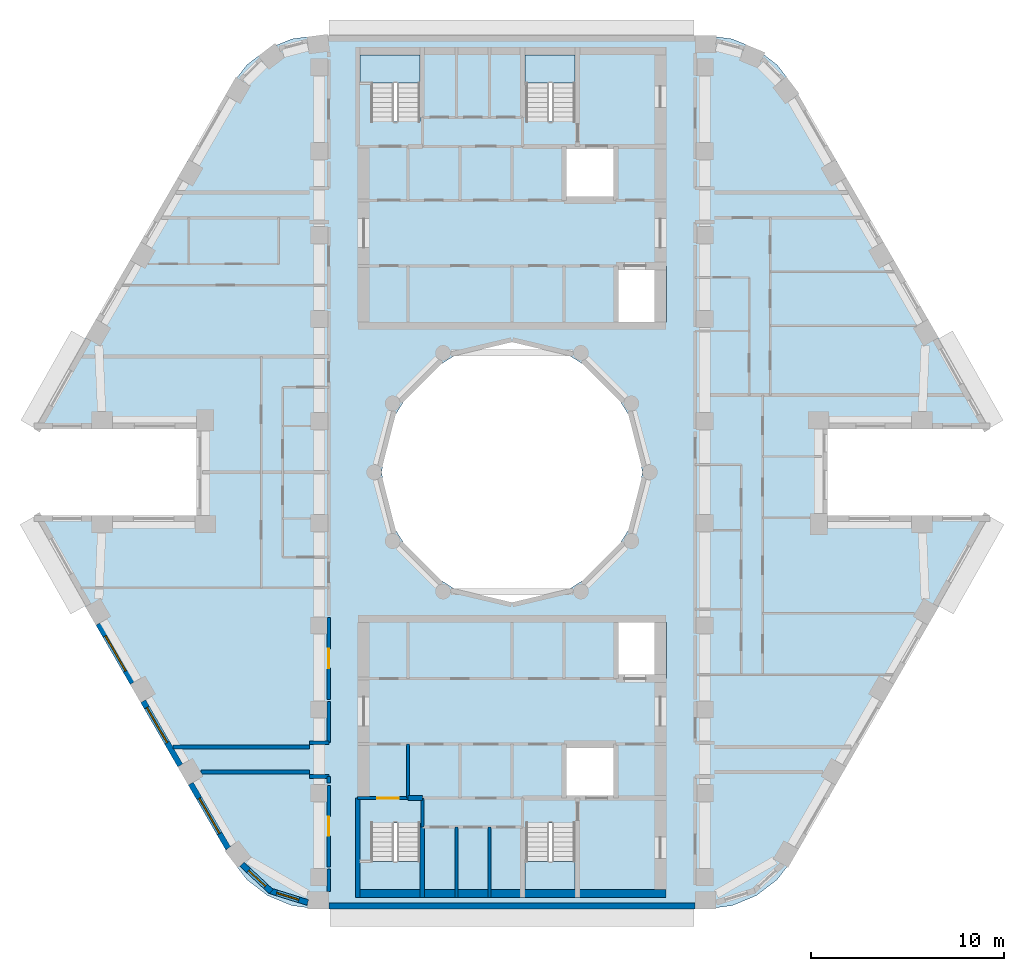
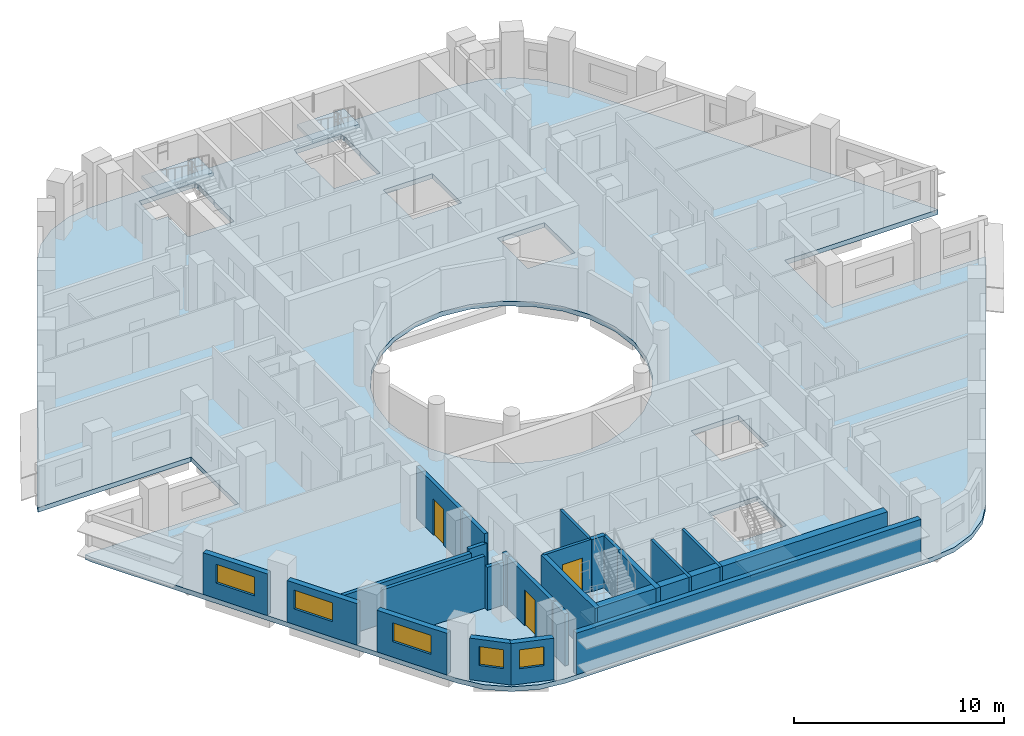
# One storey, part 2 of 12: 24 walls, 5 slabs, 5 windows, 3 doors, 8 openings, 4 elements without a shape of their own.
"""IFC4 building model written with IfcOpenShell, lengths in metres."""

from ifc_helpers import new_model, si_unit, direction, frame, frame_2d, origin, place, context, subcontext, project, spatial, polyline, rectangle, outline, extrude, material, layer, layer_set, type_object, element, fill, aggregate, save


model = new_model("IFC4")

# Units and contexts
model_context = context("Model", 3, precision=1e-05, world=origin(), true_north=direction((0.0, 1.0)))
body_context = subcontext(model_context, "Body", "Model", "MODEL_VIEW")
ifc_project = project(units=[si_unit("LENGTHUNIT", "METRE"), si_unit("AREAUNIT", "SQUARE_METRE"), si_unit("VOLUMEUNIT", "CUBIC_METRE"), si_unit("PLANEANGLEUNIT", "RADIAN"), si_unit("MASSUNIT", "GRAM", prefix="KILO")], contexts=[model_context])

# Site, building, storey
site_placement = place(None, origin())
site = spatial("IfcSite", under=ifc_project, at=site_placement, CompositionType="ELEMENT")
building_placement = place(site_placement, origin())
building = spatial("IfcBuilding", under=site, at=building_placement, Name="Nakaniwa Court", CompositionType="ELEMENT")
storey_placement = place(building_placement, frame((0.0, 0.0, 255.89990234375)))
storey = spatial("IfcBuildingStorey", under=building, at=storey_placement, Name="L67", CompositionType="ELEMENT", Elevation=255.89990234375)

# Slab
ifc_material_1 = material(Name="Concrete C80/100", Category="concrete")
ifc_layer_1 = layer(ifc_material_1, 0.27490234375)
ifc_layer_set_1 = layer_set([ifc_layer_1], Name="Concrete C80/100")
slab_type_1 = type_object("IfcSlabType", Name="Concrete C80/100 post tensioned floor slab 275", PredefinedType="FLOOR", material=ifc_layer_set_1)
slab_1_placement = place(storey_placement, frame((0.0, 0.0, -0.27490234375)))
element("IfcSlab", 1, at=slab_1_placement, inside=storey, type_object=slab_type_1, Name="FLOOR SLAB", PredefinedType="FLOOR", context=body_context, shape_type="SweptSolid", body=[
    extrude(outline(polyline([(96.349609375, 82.25), (104.7978515625, 82.25), (104.65283203125, 82.60009765625), (94.578125, 100.050048828125), (93.751708984375, 101.126953125), (92.6748046875, 101.953369140625), (91.420654296875, 102.472900390625), (90.07470703125, 102.64990234375), (69.92529296875, 102.64990234375), (68.579345703125, 102.472900390625), (67.3251953125, 101.953369140625), (66.248291015625, 101.126953125), (65.421875, 100.050048828125), (55.34716796875, 82.60009765625), (55.2021484375, 82.25), (63.650390625, 82.25), (63.650390625, 77.75), (55.2021484375, 77.75), (55.34716796875, 77.39990234375), (65.421875, 59.949951171875), (66.248291015625, 58.873046875), (67.3251953125, 58.046630859375), (68.579345703125, 57.527099609375), (69.92529296875, 57.35009765625), (90.07470703125, 57.35009765625), (91.420654296875, 57.527099609375), (92.6748046875, 58.046630859375), (93.751708984375, 58.873046875), (94.578125, 59.949951171875), (104.65283203125, 77.39990234375), (104.7978515625, 77.75), (96.349609375, 77.75), (96.349609375, 82.25)]), holes=[polyline([(81.501953125, 86.580810546875), (80.0, 86.75), (78.498046875, 86.580810546875), (77.0712890625, 86.08154296875), (75.79150390625, 85.27734375), (74.72265625, 84.20849609375), (73.91845703125, 82.9287109375), (73.419189453125, 81.501953125), (73.25, 80.0), (73.419189453125, 78.498046875), (73.91845703125, 77.0712890625), (74.72265625, 75.79150390625), (75.79150390625, 74.72265625), (77.0712890625, 73.91845703125), (78.498046875, 73.419189453125), (80.0, 73.25), (81.501953125, 73.419189453125), (82.9287109375, 73.91845703125), (84.20849609375, 74.72265625), (85.27734375, 75.79150390625), (86.08154296875, 77.0712890625), (86.580810546875, 78.498046875), (86.75, 80.0), (86.580810546875, 81.501953125), (86.08154296875, 82.9287109375), (85.27734375, 84.20849609375), (84.20849609375, 85.27734375), (82.9287109375, 86.08154296875), (81.501953125, 86.580810546875)]), polyline([(72.675048828125, 61.81005859375), (72.675048828125, 59.864990234375), (72.0849609375, 59.864990234375), (72.0849609375, 58.31005859375), (72.125, 58.31005859375), (72.125, 58.074951171875), (75.22509765625, 58.074951171875), (75.22509765625, 58.31005859375), (75.264892578125, 58.31005859375), (75.264892578125, 59.864990234375), (75.22509765625, 59.864990234375), (75.22509765625, 61.81005859375), (72.675048828125, 61.81005859375)]), polyline([(83.27490234375, 61.81005859375), (80.72509765625, 61.81005859375), (80.72509765625, 59.864990234375), (80.635009765625, 59.864990234375), (80.635009765625, 58.31005859375), (80.675048828125, 58.31005859375), (80.675048828125, 58.074951171875), (83.27490234375, 58.074951171875), (83.27490234375, 58.31005859375), (83.31494140625, 58.31005859375), (83.31494140625, 59.864990234375), (83.27490234375, 59.864990234375), (83.27490234375, 61.81005859375)]), polyline([(75.264892578125, 101.68994140625), (75.22509765625, 101.68994140625), (75.22509765625, 101.925048828125), (72.125, 101.925048828125), (72.125, 101.68994140625), (72.0849609375, 101.68994140625), (72.0849609375, 100.135009765625), (72.675048828125, 100.135009765625), (72.675048828125, 98.18994140625), (75.22509765625, 98.18994140625), (75.22509765625, 100.135009765625), (75.264892578125, 100.135009765625), (75.264892578125, 101.68994140625)]), polyline([(83.31494140625, 100.135009765625), (83.31494140625, 101.68994140625), (83.27490234375, 101.68994140625), (83.27490234375, 101.925048828125), (80.675048828125, 101.925048828125), (80.675048828125, 101.68994140625), (80.635009765625, 101.68994140625), (80.635009765625, 100.135009765625), (80.72509765625, 100.135009765625), (80.72509765625, 98.18994140625), (83.27490234375, 98.18994140625), (83.27490234375, 100.135009765625), (83.31494140625, 100.135009765625)]), polyline([(85.39990234375, 65.89990234375), (82.699951171875, 65.89990234375), (82.699951171875, 63.10009765625), (85.39990234375, 63.10009765625), (85.39990234375, 65.89990234375)]), polyline([(88.0, 72.199951171875), (85.39990234375, 72.199951171875), (85.39990234375, 69.300048828125), (88.0, 69.300048828125), (88.0, 72.199951171875)]), polyline([(85.39990234375, 90.699951171875), (85.39990234375, 87.800048828125), (88.0, 87.800048828125), (88.0, 90.699951171875), (85.39990234375, 90.699951171875)]), polyline([(85.39990234375, 96.89990234375), (82.699951171875, 96.89990234375), (82.699951171875, 94.10009765625), (85.39990234375, 94.10009765625), (85.39990234375, 96.89990234375)])]), origin(), (0.0, 0.0, 1.0), 0.27490234375),
])

# Stair, slab
stair_type = type_object("IfcStairType", Name="Dog leg stair 1200 wide 18 risers", PredefinedType="HALF_TURN_STAIR", material=ifc_material_1)
stair_1_placement = place(storey_placement, origin())
stair_1 = element("IfcStair", 2, at=stair_1_placement, inside=storey, type_object=stair_type, Name="L67 Stair ST1", PredefinedType="HALF_TURN_STAIR")
ifc_layer_2 = layer(ifc_material_1, 0.199951171875)
ifc_layer_set_2 = layer_set([ifc_layer_2], Name="Concrete C80/100")
slab_type_2 = type_object("IfcSlabType", Name="Stair landing concrete", PredefinedType="LANDING", material=ifc_layer_set_2)
slab_2_placement = place(storey_placement, frame((0.0, 0.0, 1.4501953125)))
slab_2 = element("IfcSlab", 3, at=slab_2_placement, type_object=slab_type_2, Name="ST1 landing 1", PredefinedType="LANDING", context=body_context, shape_type="SweptSolid", body=[
    extrude(outline(polyline([(75.22509765625, 100.175048828125), (75.22509765625, 101.64990234375), (72.125, 101.64990234375), (72.125, 100.175048828125), (75.22509765625, 100.175048828125)])), origin(), (0.0, 0.0, 1.0), 0.199951171875),
])
aggregate(stair_1, [slab_2])

stair_2_placement = place(storey_placement, origin())
stair_2 = element("IfcStair", 4, at=stair_2_placement, inside=storey, type_object=stair_type, Name="L67 Stair ST2", PredefinedType="HALF_TURN_STAIR")
slab_3_placement = place(storey_placement, frame((0.0, 0.0, 1.4501953125)))
slab_3 = element("IfcSlab", 5, at=slab_3_placement, type_object=slab_type_2, Name="ST2 landing 1", PredefinedType="LANDING", context=body_context, shape_type="SweptSolid", body=[
    extrude(outline(polyline([(83.27490234375, 100.175048828125), (83.27490234375, 101.64990234375), (80.675048828125, 101.64990234375), (80.675048828125, 100.175048828125), (83.27490234375, 100.175048828125)])), origin(), (0.0, 0.0, 1.0), 0.199951171875),
])
aggregate(stair_2, [slab_3])

stair_3_placement = place(storey_placement, origin())
stair_3 = element("IfcStair", 6, at=stair_3_placement, inside=storey, type_object=stair_type, Name="L67 Stair ST3", PredefinedType="HALF_TURN_STAIR")
slab_4_placement = place(storey_placement, frame((0.0, 0.0, 1.4501953125)))
slab_4 = element("IfcSlab", 7, at=slab_4_placement, type_object=slab_type_2, Name="ST3 landing 1", PredefinedType="LANDING", context=body_context, shape_type="SweptSolid", body=[
    extrude(outline(polyline([(75.22509765625, 58.35009765625), (75.22509765625, 59.824951171875), (72.125, 59.824951171875), (72.125, 58.35009765625), (75.22509765625, 58.35009765625)])), origin(), (0.0, 0.0, 1.0), 0.199951171875),
])
aggregate(stair_3, [slab_4])

stair_4_placement = place(storey_placement, origin())
stair_4 = element("IfcStair", 8, at=stair_4_placement, inside=storey, type_object=stair_type, Name="L67 Stair ST4", PredefinedType="HALF_TURN_STAIR")
slab_5_placement = place(storey_placement, frame((0.0, 0.0, 1.4501953125)))
slab_5 = element("IfcSlab", 9, at=slab_5_placement, type_object=slab_type_2, Name="ST4 landing 1", PredefinedType="LANDING", context=body_context, shape_type="SweptSolid", body=[
    extrude(outline(polyline([(83.27490234375, 58.35009765625), (83.27490234375, 59.824951171875), (80.675048828125, 59.824951171875), (80.675048828125, 58.35009765625), (83.27490234375, 58.35009765625)])), origin(), (0.0, 0.0, 1.0), 0.199951171875),
])
aggregate(stair_4, [slab_5])

# Walls
ifc_material_2 = material(Name="Acoustic double stud partition")
ifc_layer_3 = layer(ifc_material_2, 0.199951171875)
ifc_layer_set_3 = layer_set([ifc_layer_3], Name="Acoustic double stud partition")
wall_type_1 = type_object("IfcWallType", Name="Acoustic double stud partition 200", PredefinedType="PARTITIONING", material=ifc_layer_set_3)
wall_1_placement = place(storey_placement, frame((63.88330078125, 64.449951171875, 0.0), z_axis=(0.0, 0.0, 1.0), x_axis=(1.0, 0.0, 0.0)))
element("IfcWall", 10, at=wall_1_placement, inside=storey, type_object=wall_type_1, Name="Partition PW-078", PredefinedType="PARTITIONING", context=body_context, shape_type="SweptSolid", body=[
    extrude(rectangle(XDim=5.61669921875, YDim=0.199951171875, at=frame_2d((2.808349609375, 0.0))), origin(), (0.0, 0.0, 1.0), 3.025146484375),
])
for number, where, z_axis, x_axis, name in (
    (11, (69.5, 64.22509765625, 0.0), (0.0, 0.0, 1.0), (1.0, 0.0, 0.0), "Partition PW-080"),
    (12, (69.5, 65.97509765625, 0.0), (0.0, 0.0, 1.0), (1.0, 0.0, 0.0), "Partition PW-082"),
):
    element("IfcWall", number, at=place(storey_placement, frame(where, z_axis=z_axis, x_axis=x_axis)), inside=storey, type_object=wall_type_1, Name=name, PredefinedType="PARTITIONING", context=body_context, shape_type="SweptSolid", body=[
        extrude(rectangle(XDim=1.0, YDim=0.199951171875, at=frame_2d((0.5, 0.0))), origin(), (0.0, 0.0, 1.0), 2.505126953125),
    ])
wall_2_placement = place(storey_placement, frame((62.419677734375, 65.75, 0.0), z_axis=(0.0, 0.0, 1.0), x_axis=(1.0, 0.0, 0.0)))
element("IfcWall", 13, at=wall_2_placement, inside=storey, type_object=wall_type_1, Name="Partition PW-084", PredefinedType="PARTITIONING", context=body_context, shape_type="SweptSolid", body=[
    extrude(rectangle(XDim=7.080322265625, YDim=0.199951171875, at=frame_2d((3.5400390625, 0.0))), origin(), (0.0, 0.0, 1.0), 2.405029296875),
])
wall_3_placement = place(storey_placement, frame((70.5, 58.26708984375, 0.0), z_axis=(0.0, 0.0, 1.0), x_axis=(0.0, 1.0, 0.0)))
element("IfcWall", 14, at=wall_3_placement, inside=storey, type_object=wall_type_1, Name="Partition PW-086", PredefinedType="PARTITIONING", context=body_context, shape_type="SweptSolid", body=[
    extrude(rectangle(XDim=1.14599609375, YDim=0.199951171875, at=frame_2d((0.572998046875, 0.0))), origin(), (0.0, 0.0, 1.0), 3.025146484375),
])

# Wall, opening, door
wall_4_placement = place(storey_placement, frame((70.5, 59.527099609375, 0.0), z_axis=(0.0, 0.0, 1.0), x_axis=(0.0, 1.0, 0.0)))
wall_4 = element("IfcWall", 15, at=wall_4_placement, inside=storey, type_object=wall_type_1, Name="Partition PW-087", PredefinedType="PARTITIONING", context=body_context, shape_type="SweptSolid", body=[
    extrude(rectangle(XDim=4.23583984375, YDim=0.199951171875, at=frame_2d((2.117919921875, 0.0))), origin(), (0.0, 0.0, 1.0), 3.025146484375),
])
opening_1_placement = place(wall_4_placement, frame((1.617919921875, 0.0, 0.0)))
opening_1 = element("IfcOpeningElement", 16, at=opening_1_placement, cuts=wall_4, Name="Opening D-02-05", PredefinedType="OPENING", context=body_context, shape_type="SweptSolid", body=[
    extrude(rectangle(XDim=1.0, YDim=2.10009765625, at=frame_2d((0.5, 1.050048828125))), frame((0.0, 0.10986328125, 0.0), z_axis=(0.0, -1.0, 0.0), x_axis=(1.0, 0.0, 0.0)), (0.0, 0.0, 1.0), 0.219970703125),
])
ifc_material_3 = material(Name="Solid core timber door set, black veneer", Category="wood")
door_type_1 = type_object("IfcDoorType", Name="Internal door 1000", OperationType="NOTDEFINED", PredefinedType="DOOR", material=ifc_material_3)
door_1_placement = place(opening_1_placement, origin())
door_1 = element("IfcDoor", 17, at=door_1_placement, inside=storey, type_object=door_type_1, Name="Door D-02-05 L67-061", OperationType="SINGLE_SWING_RIGHT", OverallHeight=2.10009765625, OverallWidth=1.0, PredefinedType="DOOR", context=body_context, shape_type="SweptSolid", body=[
    extrude(rectangle(XDim=1.0, YDim=2.10009765625, at=frame_2d((0.5, 1.050048828125))), frame((0.0, 0.02490234375, 0.0), z_axis=(0.0, -1.0, 0.0), x_axis=(1.0, 0.0, 0.0)), (0.0, 0.0, 1.0), 0.050048828125),
])
fill(opening_1, door_1)

# Walls
wall_5_placement = place(storey_placement, frame((70.5, 63.876953125, 0.0), z_axis=(0.0, 0.0, 1.0), x_axis=(0.0, 1.0, 0.0)))
element("IfcWall", 18, at=wall_5_placement, inside=storey, type_object=wall_type_1, Name="Partition PW-088", PredefinedType="PARTITIONING", context=body_context, shape_type="SweptSolid", body=[
    extrude(rectangle(XDim=0.35107421875, YDim=0.199951171875, at=frame_2d((0.175537109375, 0.0))), origin(), (0.0, 0.0, 1.0), 3.025146484375),
])
wall_6_placement = place(storey_placement, frame((70.5, 65.971923828125, 0.0), z_axis=(0.0, 0.0, 1.0), x_axis=(0.0, 1.0, 0.0)))
element("IfcWall", 19, at=wall_6_placement, inside=storey, type_object=wall_type_1, Name="Partition PW-089", PredefinedType="PARTITIONING", context=body_context, shape_type="SweptSolid", body=[
    extrude(rectangle(XDim=2.14111328125, YDim=0.199951171875, at=frame_2d((1.070556640625, 0.0))), origin(), (0.0, 0.0, 1.0), 3.025146484375),
])

# Wall, opening, door
wall_7_placement = place(storey_placement, frame((70.5, 68.22705078125, 0.0), z_axis=(0.0, 0.0, 1.0), x_axis=(0.0, 1.0, 0.0)))
wall_7 = element("IfcWall", 20, at=wall_7_placement, inside=storey, type_object=wall_type_1, Name="Partition PW-090", PredefinedType="PARTITIONING", context=body_context, shape_type="SweptSolid", body=[
    extrude(rectangle(XDim=4.23583984375, YDim=0.199951171875, at=frame_2d((2.117919921875, 0.0))), origin(), (0.0, 0.0, 1.0), 3.025146484375),
])
opening_2_placement = place(wall_7_placement, frame((1.617919921875, 0.0, 0.0)))
opening_2 = element("IfcOpeningElement", 21, at=opening_2_placement, cuts=wall_7, Name="Opening D-02-02", PredefinedType="OPENING", context=body_context, shape_type="SweptSolid", body=[
    extrude(rectangle(XDim=1.0, YDim=2.10009765625, at=frame_2d((0.5, 1.050048828125))), frame((0.0, 0.10986328125, 0.0), z_axis=(0.0, -1.0, 0.0), x_axis=(1.0, 0.0, 0.0)), (0.0, 0.0, 1.0), 0.219970703125),
])
door_2_placement = place(opening_2_placement, origin())
door_2 = element("IfcDoor", 22, at=door_2_placement, inside=storey, type_object=door_type_1, Name="Door D-02-02 L67-046", OperationType="SINGLE_SWING_LEFT", OverallHeight=2.10009765625, OverallWidth=1.0, PredefinedType="DOOR", context=body_context, shape_type="SweptSolid", body=[
    extrude(rectangle(XDim=1.0, YDim=2.10009765625, at=frame_2d((0.5, 1.050048828125))), frame((0.0, 0.02490234375, 0.0), z_axis=(0.0, -1.0, 0.0), x_axis=(1.0, 0.0, 0.0)), (0.0, 0.0, 1.0), 0.050048828125),
])
fill(opening_2, door_2)

# Wall, opening, window
ifc_material_4 = material(Name="Charcoal ceramic cladding")
ifc_layer_4 = layer(ifc_material_4, 0.02, Name="Ceramic cladding")
ifc_material_5 = material(Name="Ventilated air cavity")
ifc_layer_5 = layer(ifc_material_5, 0.04, ventilated=True, Name="Ventilated cavity")
ifc_material_6 = material(Name="Mineral wool insulation")
ifc_layer_6 = layer(ifc_material_6, 0.1, Name="Insulation")
ifc_material_7 = material(Name="Cement bonded sheathing board")
ifc_layer_7 = layer(ifc_material_7, 0.012, Name="Sheathing")
ifc_material_8 = material(Name="Cold-formed galvanised stud frame with mineral wool infill")
ifc_layer_8 = layer(ifc_material_8, 0.1, Name="Stud frame")
ifc_material_9 = material(Name="Fire-rated gypsum plasterboard lining")
ifc_layer_9 = layer(ifc_material_9, 0.028, Name="Lining")
ifc_layer_set_4 = layer_set([ifc_layer_4, ifc_layer_5, ifc_layer_6, ifc_layer_7, ifc_layer_8, ifc_layer_9], Name="Charcoal ceramic faced external wall system")
wall_type_2 = type_object("IfcWallType", Name="Black ceramic faced external wall 300", PredefinedType="SOLIDWALL", material=ifc_layer_set_4)
wall_8_placement = place(storey_placement, frame((58.55419921875, 72.14501953125, 0.0), z_axis=(0.0, 0.0, 1.0), x_axis=(0.500010404316, -0.866019396766, 0.0)))
wall_8 = element("IfcWall", 23, at=wall_8_placement, inside=storey, type_object=wall_type_2, Name="L67 external wall 21", PredefinedType="SOLIDWALL", context=body_context, shape_type="SweptSolid", body=[
    extrude(rectangle(XDim=3.54736328125, YDim=0.300048828125, at=frame_2d((1.773681640625, 0.0))), origin(), (0.0, 0.0, 1.0), 2.425048828125),
])
opening_3_placement = place(wall_8_placement, frame((0.723388671875, 0.0, 0.89990234375)))
opening_3 = element("IfcOpeningElement", 24, at=opening_3_placement, cuts=wall_8, Name="Opening W7.23", PredefinedType="OPENING", context=body_context, shape_type="SweptSolid", body=[
    extrude(rectangle(XDim=2.10009765625, YDim=1.10009765625, at=frame_2d((1.050048828125, 0.550048828125))), frame((0.0, 0.159912109375, 0.0), z_axis=(0.0, -1.0, 0.0), x_axis=(1.0, 0.0, 0.0)), (0.0, 0.0, 1.0), 0.320068359375),
])
ifc_material_10 = material(Name="Black anodised aluminium frame with dark low-E laminated double glazing", Category="aluminium")
window_type_1 = type_object("IfcWindowType", Name="Dark glass window 2100x1100 sill 900", PartitioningType="SINGLE_PANEL", PredefinedType="WINDOW", material=ifc_material_10)
window_1_placement = place(opening_3_placement, origin())
window_1 = element("IfcWindow", 25, at=window_1_placement, inside=storey, type_object=window_type_1, Name="L67 habitable room window 21-0", OverallHeight=1.10009765625, OverallWidth=2.10009765625, PartitioningType="SINGLE_PANEL", PredefinedType="WINDOW", context=body_context, shape_type="SweptSolid", body=[
    extrude(rectangle(XDim=2.10009765625, YDim=1.10009765625, at=frame_2d((1.050048828125, 0.550048828125))), frame((0.0, 0.030029296875, 0.0), z_axis=(0.0, -1.0, 0.0), x_axis=(1.0, 0.0, 0.0)), (0.0, 0.0, 1.0), 0.06005859375),
])
fill(opening_3, window_1)

wall_9_placement = place(storey_placement, frame((60.873779296875, 68.12744140625, 0.0), z_axis=(0.0, 0.0, 1.0), x_axis=(0.499984490703, -0.866034357896, 0.0)))
wall_9 = element("IfcWall", 26, at=wall_9_placement, inside=storey, type_object=wall_type_2, Name="L67 external wall 22", PredefinedType="SOLIDWALL", context=body_context, shape_type="SweptSolid", body=[
    extrude(rectangle(XDim=3.84423828125, YDim=0.300048828125, at=frame_2d((1.922119140625, 0.0))), origin(), (0.0, 0.0, 1.0), 2.425048828125),
])
opening_4_placement = place(wall_9_placement, frame((0.3837890625, 0.0, 0.89990234375)))
opening_4 = element("IfcOpeningElement", 27, at=opening_4_placement, cuts=wall_9, Name="Opening W7.24", PredefinedType="OPENING", context=body_context, shape_type="SweptSolid", body=[
    extrude(rectangle(XDim=2.10009765625, YDim=1.10009765625, at=frame_2d((1.050048828125, 0.550048828125))), frame((0.0, 0.159912109375, 0.0), z_axis=(0.0, -1.0, 0.0), x_axis=(1.0, 0.0, 0.0)), (0.0, 0.0, 1.0), 0.320068359375),
])
window_2_placement = place(opening_4_placement, origin())
window_2 = element("IfcWindow", 28, at=window_2_placement, inside=storey, type_object=window_type_1, Name="L67 habitable room window 22-0", OverallHeight=1.10009765625, OverallWidth=2.10009765625, PartitioningType="SINGLE_PANEL", PredefinedType="WINDOW", context=body_context, shape_type="SweptSolid", body=[
    extrude(rectangle(XDim=2.10009765625, YDim=1.10009765625, at=frame_2d((1.050048828125, 0.550048828125))), frame((0.0, 0.030029296875, 0.0), z_axis=(0.0, -1.0, 0.0), x_axis=(1.0, 0.0, 0.0)), (0.0, 0.0, 1.0), 0.06005859375),
])
fill(opening_4, window_2)

wall_10_placement = place(storey_placement, frame((63.342041015625, 63.8525390625, 0.0), z_axis=(0.0, 0.0, 1.0), x_axis=(0.500011218404, -0.866018926739, 0.0)))
wall_10 = element("IfcWall", 29, at=wall_10_placement, inside=storey, type_object=wall_type_2, Name="L67 external wall 23", PredefinedType="SOLIDWALL", context=body_context, shape_type="SweptSolid", body=[
    extrude(rectangle(XDim=3.87890625, YDim=0.300048828125, at=frame_2d((1.939453125, 0.0))), origin(), (0.0, 0.0, 1.0), 2.425048828125),
])
opening_5_placement = place(wall_10_placement, frame((0.878173828125, 0.0, 0.89990234375)))
opening_5 = element("IfcOpeningElement", 30, at=opening_5_placement, cuts=wall_10, Name="Opening W7.25", PredefinedType="OPENING", context=body_context, shape_type="SweptSolid", body=[
    extrude(rectangle(XDim=2.10009765625, YDim=1.10009765625, at=frame_2d((1.050048828125, 0.550048828125))), frame((0.0, 0.159912109375, 0.0), z_axis=(0.0, -1.0, 0.0), x_axis=(1.0, 0.0, 0.0)), (0.0, 0.0, 1.0), 0.320068359375),
])
window_3_placement = place(opening_5_placement, origin())
window_3 = element("IfcWindow", 31, at=window_3_placement, inside=storey, type_object=window_type_1, Name="L67 habitable room window 23-0", OverallHeight=1.10009765625, OverallWidth=2.10009765625, PartitioningType="SINGLE_PANEL", PredefinedType="WINDOW", context=body_context, shape_type="SweptSolid", body=[
    extrude(rectangle(XDim=2.10009765625, YDim=1.10009765625, at=frame_2d((1.050048828125, 0.550048828125))), frame((0.0, 0.030029296875, 0.0), z_axis=(0.0, -1.0, 0.0), x_axis=(1.0, 0.0, 0.0)), (0.0, 0.0, 1.0), 0.06005859375),
])
fill(opening_5, window_3)

wall_11_placement = place(storey_placement, frame((65.99609375, 59.665283203125, 0.0), z_axis=(0.0, 0.0, 1.0), x_axis=(0.731942518471, -0.6813663843, 0.0)))
wall_11 = element("IfcWall", 32, at=wall_11_placement, inside=storey, type_object=wall_type_2, Name="L67 external wall 24", PredefinedType="SOLIDWALL", context=body_context, shape_type="SweptSolid", body=[
    extrude(rectangle(XDim=2.07568359375, YDim=0.300048828125, at=frame_2d((1.037841796875, 0.0))), origin(), (0.0, 0.0, 1.0), 2.425048828125),
])
opening_6_placement = place(wall_11_placement, frame((0.464111328125, 0.0, 0.89990234375)))
opening_6 = element("IfcOpeningElement", 33, at=opening_6_placement, cuts=wall_11, Name="Opening W6.26", PredefinedType="OPENING", context=body_context, shape_type="SweptSolid", body=[
    extrude(rectangle(XDim=1.199951171875, YDim=1.10009765625, at=frame_2d((0.60009765625, 0.550048828125))), frame((0.0, 0.159912109375, 0.0), z_axis=(0.0, -1.0, 0.0), x_axis=(1.0, 0.0, 0.0)), (0.0, 0.0, 1.0), 0.320068359375),
])
window_type_2 = type_object("IfcWindowType", Name="Dark glass window 1200x1100 sill 900", PartitioningType="SINGLE_PANEL", PredefinedType="WINDOW", material=ifc_material_10)
window_4_placement = place(opening_6_placement, origin())
window_4 = element("IfcWindow", 34, at=window_4_placement, inside=storey, type_object=window_type_2, Name="L67 habitable room window 24-0", OverallHeight=1.10009765625, OverallWidth=1.199951171875, PartitioningType="SINGLE_PANEL", PredefinedType="WINDOW", context=body_context, shape_type="SweptSolid", body=[
    extrude(rectangle(XDim=1.199951171875, YDim=1.10009765625, at=frame_2d((0.60009765625, 0.550048828125))), frame((0.0, 0.030029296875, 0.0), z_axis=(0.0, -1.0, 0.0), x_axis=(1.0, 0.0, 0.0)), (0.0, 0.0, 1.0), 0.06005859375),
])
fill(opening_6, window_4)

wall_12_placement = place(storey_placement, frame((67.406494140625, 58.3076171875, 0.0), z_axis=(0.0, 0.0, 1.0), x_axis=(0.954761314907, -0.297373219301, 0.0)))
wall_12 = element("IfcWall", 35, at=wall_12_placement, inside=storey, type_object=wall_type_2, Name="L67 external wall 25", PredefinedType="SOLIDWALL", context=body_context, shape_type="SweptSolid", body=[
    extrude(rectangle(XDim=2.096923828125, YDim=0.300048828125, at=frame_2d((1.04833984375, 0.0))), origin(), (0.0, 0.0, 1.0), 2.425048828125),
])
opening_7_placement = place(wall_12_placement, frame((0.409423828125, 0.0, 0.89990234375)))
opening_7 = element("IfcOpeningElement", 36, at=opening_7_placement, cuts=wall_12, Name="Opening W6.27", PredefinedType="OPENING", context=body_context, shape_type="SweptSolid", body=[
    extrude(rectangle(XDim=1.199951171875, YDim=1.10009765625, at=frame_2d((0.60009765625, 0.550048828125))), frame((0.0, 0.159912109375, 0.0), z_axis=(0.0, -1.0, 0.0), x_axis=(1.0, 0.0, 0.0)), (0.0, 0.0, 1.0), 0.320068359375),
])
window_5_placement = place(opening_7_placement, origin())
window_5 = element("IfcWindow", 37, at=window_5_placement, inside=storey, type_object=window_type_2, Name="L67 habitable room window 25-0", OverallHeight=1.10009765625, OverallWidth=1.199951171875, PartitioningType="SINGLE_PANEL", PredefinedType="WINDOW", context=body_context, shape_type="SweptSolid", body=[
    extrude(rectangle(XDim=1.199951171875, YDim=1.10009765625, at=frame_2d((0.60009765625, 0.550048828125))), frame((0.0, 0.030029296875, 0.0), z_axis=(0.0, -1.0, 0.0), x_axis=(1.0, 0.0, 0.0)), (0.0, 0.0, 1.0), 0.06005859375),
])
fill(opening_7, window_5)

# Walls
wall_13_placement = place(storey_placement, frame((70.500732421875, 57.5, 0.0), z_axis=(0.0, 0.0, 1.0), x_axis=(1.0, 0.0, 0.0)))
element("IfcWall", 38, at=wall_13_placement, inside=storey, type_object=wall_type_2, Name="L67 external wall 26", PredefinedType="SOLIDWALL", context=body_context, shape_type="SweptSolid", body=[
    extrude(rectangle(XDim=18.99267578125, YDim=0.300048828125, at=frame_2d((9.496337890625, 0.0))), origin(), (0.0, 0.0, 1.0), 2.425048828125),
])
ifc_material_11 = material(Name="Blockwork partition", Category="masonry")
ifc_layer_10 = layer(ifc_material_11, 0.14990234375)
ifc_layer_set_5 = layer_set([ifc_layer_10], Name="Blockwork partition")
wall_type_3 = type_object("IfcWallType", Name="Blockwork partition 150", PredefinedType="PARTITIONING", material=ifc_layer_set_5)
wall_14_placement = place(storey_placement, frame((74.60009765625, 63.10009765625, 0.0), z_axis=(0.0, 0.0, 1.0), x_axis=(0.0, 1.0, 0.0)))
element("IfcWall", 39, at=wall_14_placement, inside=storey, type_object=wall_type_3, Name="Partition PW-030", PredefinedType="PARTITIONING", context=body_context, shape_type="SweptSolid", body=[
    extrude(rectangle(XDim=2.7998046875, YDim=0.14990234375, at=frame_2d((1.39990234375, 0.0))), origin(), (0.0, 0.0, 1.0), 3.025146484375),
])
for number, where, z_axis, x_axis, name in (
    (40, (77.117919921875, 57.949951171875, 0.0), (0.0, 0.0, 1.0), (0.0, 1.0, 0.0), "Partition PW-057"),
    (41, (78.833984375, 57.949951171875, 0.0), (0.0, 0.0, 1.0), (0.0, 1.0, 0.0), "Partition PW-058"),
):
    element("IfcWall", number, at=place(storey_placement, frame(where, z_axis=z_axis, x_axis=x_axis)), inside=storey, type_object=wall_type_3, Name=name, PredefinedType="PARTITIONING", context=body_context, shape_type="SweptSolid", body=[
        extrude(rectangle(XDim=3.650146484375, YDim=0.14990234375, at=frame_2d((1.8251953125, 0.0))), origin(), (0.0, 0.0, 1.0), 3.025146484375),
    ])

# Wall, opening, door
ifc_layer_11 = layer(ifc_material_1, 0.14990234375)
ifc_layer_set_6 = layer_set([ifc_layer_11], Name="Concrete C80/100")
wall_type_4 = type_object("IfcWallType", Name="Concrete core wall 150 C80", PredefinedType="SHEAR", material=ifc_layer_set_6)
wall_15_placement = place(storey_placement, frame((72.0, 63.10009765625, -0.27490234375), z_axis=(0.0, 0.0, 1.0), x_axis=(1.0, 0.0, 0.0)))
wall_15 = element("IfcWall", 42, at=wall_15_placement, inside=storey, type_object=wall_type_4, Name="Core wall SW-44", PredefinedType="SHEAR", context=body_context, shape_type="SweptSolid", body=[
    extrude(rectangle(XDim=2.60009765625, YDim=0.14990234375, at=frame_2d((1.300048828125, 0.0))), origin(), (0.0, 0.0, 1.0), 3.300048828125),
])
opening_8_placement = place(wall_15_placement, frame((1.02001953125, 0.0, 0.27490234375)))
opening_8 = element("IfcOpeningElement", 43, at=opening_8_placement, cuts=wall_15, Name="Opening D-09-02", PredefinedType="OPENING", context=body_context, shape_type="SweptSolid", body=[
    extrude(rectangle(XDim=1.10009765625, YDim=2.10009765625, at=frame_2d((0.550048828125, 1.050048828125))), frame((0.0, 0.0849609375, 0.0), z_axis=(0.0, -1.0, 0.0), x_axis=(1.0, 0.0, 0.0)), (0.0, 0.0, 1.0), 0.169921875),
])
ifc_material_12 = material(Name="Fire rated steel door set", Category="steel")
door_type_2 = type_object("IfcDoorType", Name="Stair door 1100", OperationType="NOTDEFINED", PredefinedType="DOOR", material=ifc_material_12)
door_3_placement = place(opening_8_placement, origin())
door_3 = element("IfcDoor", 44, at=door_3_placement, inside=storey, type_object=door_type_2, Name="Door D-09-02 L67-029", OperationType="SINGLE_SWING_LEFT", OverallHeight=2.10009765625, OverallWidth=1.10009765625, PredefinedType="DOOR", context=body_context, shape_type="SweptSolid", body=[
    extrude(rectangle(XDim=1.10009765625, YDim=2.10009765625, at=frame_2d((0.550048828125, 1.050048828125))), frame((0.0, 0.02490234375, 0.0), z_axis=(0.0, -1.0, 0.0), x_axis=(1.0, 0.0, 0.0)), (0.0, 0.0, 1.0), 0.050048828125),
])
fill(opening_8, door_3)

# Walls
wall_16_placement = place(storey_placement, frame((75.35009765625, 61.596923828125, -0.27490234375), z_axis=(0.0, 0.0, 1.0), x_axis=(0.0, 1.0, 0.0)))
element("IfcWall", 45, at=wall_16_placement, inside=storey, type_object=wall_type_4, Name="Core wall SW-50", PredefinedType="SHEAR", context=body_context, shape_type="SweptSolid", body=[
    extrude(rectangle(XDim=1.503173828125, YDim=0.14990234375, at=frame_2d((0.75146484375, 0.0))), origin(), (0.0, 0.0, 1.0), 3.300048828125),
])
ifc_layer_12 = layer(ifc_material_1, 0.25)
ifc_layer_set_7 = layer_set([ifc_layer_12], Name="Concrete C80/100")
wall_type_5 = type_object("IfcWallType", Name="Concrete core wall 250 C80", PredefinedType="SHEAR", material=ifc_layer_set_7)
wall_17_placement = place(storey_placement, frame((72.0, 57.949951171875, -0.27490234375), z_axis=(0.0, 0.0, 1.0), x_axis=(0.0, 1.0, 0.0)))
element("IfcWall", 46, at=wall_17_placement, inside=storey, type_object=wall_type_5, Name="Core wall SW-52", PredefinedType="SHEAR", context=body_context, shape_type="SweptSolid", body=[
    extrude(rectangle(XDim=5.150146484375, YDim=0.25, at=frame_2d((2.5751953125, 0.0))), origin(), (0.0, 0.0, 1.0), 3.300048828125),
])
ifc_layer_13 = layer(ifc_material_1, 0.39990234375)
ifc_layer_set_8 = layer_set([ifc_layer_13], Name="Concrete C80/100")
wall_type_6 = type_object("IfcWallType", Name="Concrete core wall 400 C80", PredefinedType="SHEAR", material=ifc_layer_set_8)
wall_18_placement = place(storey_placement, frame((72.00390625, 58.14990234375, -0.27490234375), z_axis=(0.0, 0.0, 1.0), x_axis=(1.0, 0.0, 0.0)))
element("IfcWall", 47, at=wall_18_placement, inside=storey, type_object=wall_type_6, Name="Core wall SW-128", PredefinedType="SHEAR", context=body_context, shape_type="SweptSolid", body=[
    extrude(rectangle(XDim=15.9921875, YDim=0.39990234375, at=frame_2d((7.99609375, 0.0))), origin(), (0.0, 0.0, 1.0), 3.300048828125),
])
ifc_layer_14 = layer(ifc_material_1, 0.25)
ifc_layer_set_9 = layer_set([ifc_layer_14], Name="Concrete C80/100")
wall_type_7 = type_object("IfcWallType", Name="Concrete shaft wall 250 C80", PredefinedType="SHEAR", material=ifc_layer_set_9)
wall_19_placement = place(storey_placement, frame((74.60009765625, 63.10009765625, -0.27490234375), z_axis=(0.0, 0.0, 1.0), x_axis=(1.0, 0.0, 0.0)))
element("IfcWall", 48, at=wall_19_placement, inside=storey, type_object=wall_type_7, Name="Core wall SW-46", PredefinedType="SHEAR", context=body_context, shape_type="SweptSolid", body=[
    extrude(rectangle(XDim=0.7529296875, YDim=0.25, at=frame_2d((0.37646484375, 0.0))), origin(), (0.0, 0.0, 1.0), 3.300048828125),
])
wall_20_placement = place(storey_placement, frame((75.35009765625, 57.949951171875, -0.27490234375), z_axis=(0.0, 0.0, 1.0), x_axis=(0.0, 1.0, 0.0)))
element("IfcWall", 49, at=wall_20_placement, inside=storey, type_object=wall_type_7, Name="Core wall SW-51", PredefinedType="SHEAR", context=body_context, shape_type="SweptSolid", body=[
    extrude(rectangle(XDim=3.653076171875, YDim=0.25, at=frame_2d((1.82666015625, 0.0))), origin(), (0.0, 0.0, 1.0), 3.300048828125),
])

save(model, "model.ifc")
